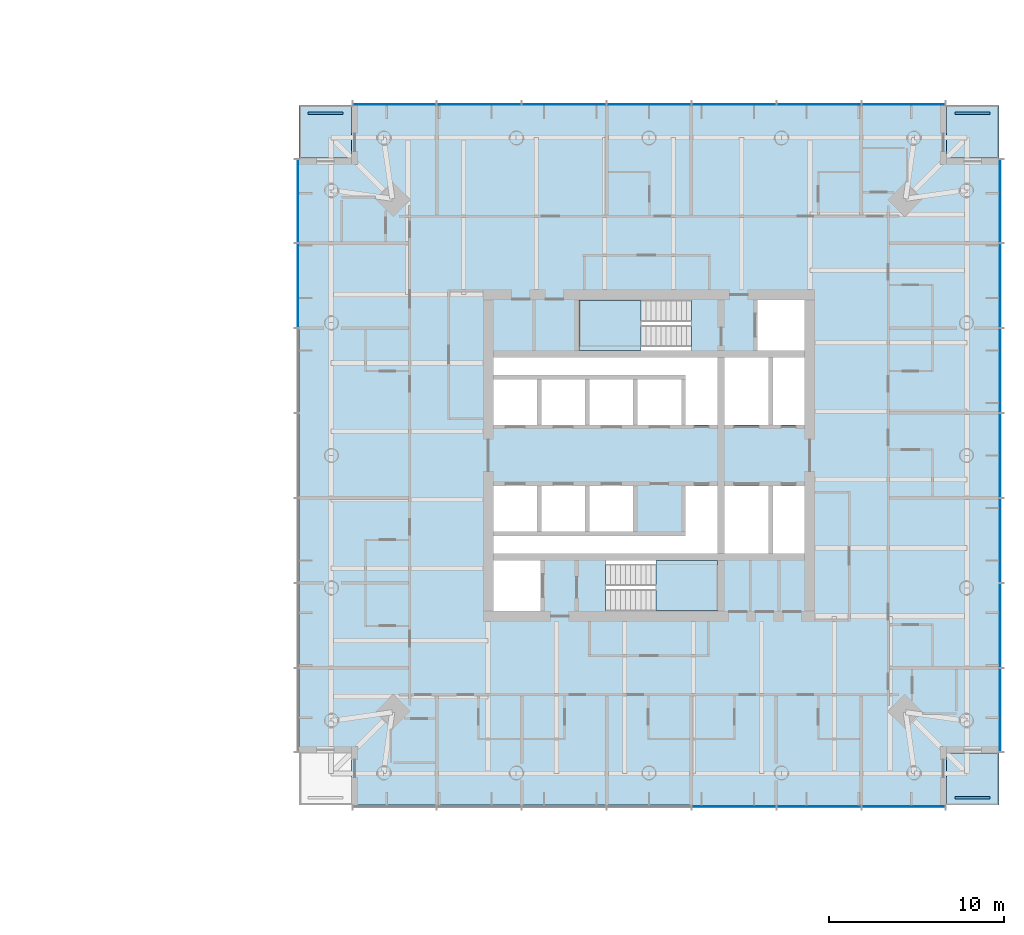
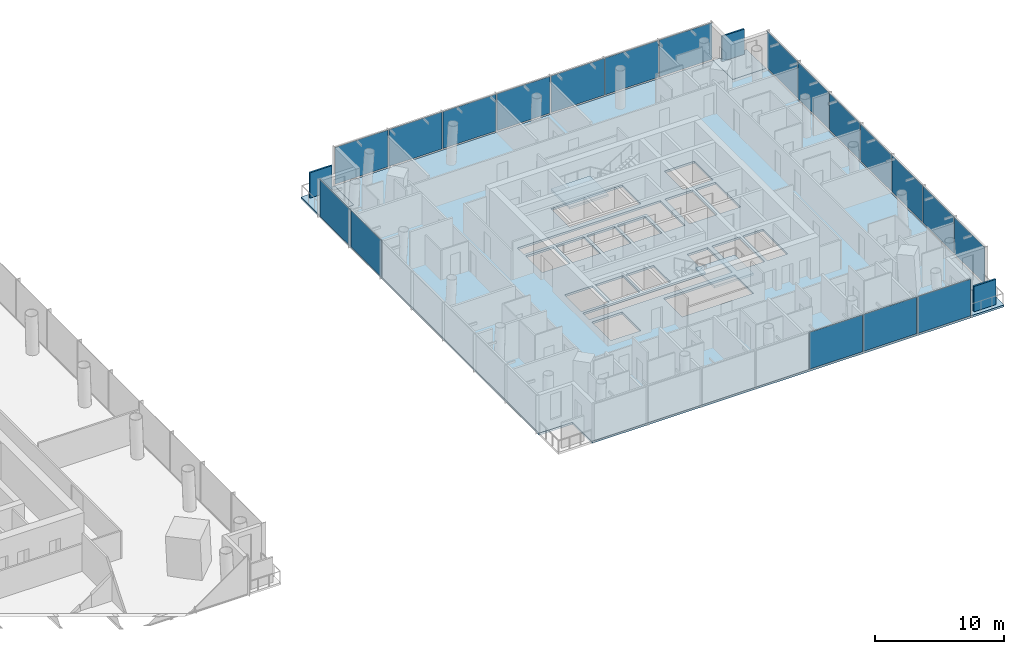
# One storey, part 9 of 22: 22 plates, 6 slabs, 6 elements without a shape of their own.
"""IFC4 building model written with IfcOpenShell, lengths in metres."""

from ifc_helpers import new_model, si_unit, direction, frame, origin, origin_2d, place, context, subcontext, project, spatial, polyline, rectangle, outline, extrude, material, layer, layer_set, type_object, element, aggregate, save


model = new_model("IFC4")

# Units and contexts
model_context = context("Model", 3, precision=1e-05, world=origin(), true_north=direction((0.0, 1.0)))
body_context = subcontext(model_context, "Body", "Model", "MODEL_VIEW")
ifc_project = project(units=[si_unit("LENGTHUNIT", "METRE"), si_unit("AREAUNIT", "SQUARE_METRE"), si_unit("VOLUMEUNIT", "CUBIC_METRE"), si_unit("PLANEANGLEUNIT", "RADIAN"), si_unit("MASSUNIT", "GRAM", prefix="KILO")], contexts=[model_context])

# Site, building, storey
site_placement = place(None, origin())
site = spatial("IfcSite", under=ifc_project, at=site_placement, CompositionType="ELEMENT")
building_placement = place(site_placement, origin())
building = spatial("IfcBuilding", under=site, at=building_placement, Name="Ostroluk Exchange", CompositionType="ELEMENT")
storey_placement = place(building_placement, frame((0.0, 0.0, 40.0)))
storey = spatial("IfcBuildingStorey", under=building, at=storey_placement, Name="L09", CompositionType="ELEMENT", Elevation=40.0)

# Curtain wall, plates
ifc_material_1 = material(Name="Laminated clear glass", Category="glass")
curtain_wall_type = type_object("IfcCurtainWallType", Name="Hotel guest floor facade", PredefinedType="USERDEFINED", material=ifc_material_1)
curtain_wall_1_placement = place(storey_placement, origin())
curtain_wall_1 = element("IfcCurtainWall", 1, at=curtain_wall_1_placement, inside=storey, type_object=curtain_wall_type, Name="Hotel tower south facade L09", ObjectType="UNITISED CURTAIN WALL", PredefinedType="USERDEFINED")
ifc_material_2 = material(Name="Laminated clear glass", Category="glass")
ifc_layer_1 = layer(ifc_material_2, 0.0400390625)
ifc_layer_set_1 = layer_set([ifc_layer_1], Name="Acoustic laminated glazing 40")
plate_type_1 = type_object("IfcPlateType", Name="Acoustic laminated glazing 40", PredefinedType="CURTAIN_PANEL", material=ifc_layer_set_1)
plate_1_placement = place(storey_placement, frame((121.857177734375, 25.925048828125, 0.080078125), z_axis=(0.0, 0.0, 1.0), x_axis=(1.0, 0.0, 0.0)))
plate_1 = element("IfcPlate", 2, at=plate_1_placement, type_object=plate_type_1, Name="CW-H1 panel 5.1", PredefinedType="CURTAIN_PANEL", context=body_context, shape_type="SweptSolid", body=[
    extrude(rectangle(XDim=4.777099609375, YDim=0.0400390625, at=origin_2d()), origin(), (0.0, 0.0, 1.0), 3.489990234375),
])
plate_2_placement = place(storey_placement, frame((126.71435546875, 25.925048828125, 0.080078125), z_axis=(0.0, 0.0, 1.0), x_axis=(1.0, 0.0, 0.0)))
plate_2 = element("IfcPlate", 3, at=plate_2_placement, type_object=plate_type_1, Name="CW-H1 panel 6.1", PredefinedType="CURTAIN_PANEL", context=body_context, shape_type="SweptSolid", body=[
    extrude(rectangle(XDim=4.777099609375, YDim=0.0400390625, at=origin_2d()), origin(), (0.0, 0.0, 1.0), 3.489990234375),
])
plate_3_placement = place(storey_placement, frame((131.551513671875, 25.925048828125, 0.080078125), z_axis=(0.0, 0.0, 1.0), x_axis=(1.0, 0.0, 0.0)))
plate_3 = element("IfcPlate", 4, at=plate_3_placement, type_object=plate_type_1, Name="CW-H1 panel 7.1", PredefinedType="CURTAIN_PANEL", context=body_context, shape_type="SweptSolid", body=[
    extrude(rectangle(XDim=4.737060546875, YDim=0.0400390625, at=origin_2d()), origin(), (0.0, 0.0, 1.0), 3.489990234375),
])
aggregate(curtain_wall_1, [plate_1, plate_2, plate_3])

curtain_wall_2_placement = place(storey_placement, origin())
curtain_wall_2 = element("IfcCurtainWall", 5, at=curtain_wall_2_placement, inside=storey, type_object=curtain_wall_type, Name="Hotel tower east facade L09", ObjectType="UNITISED CURTAIN WALL", PredefinedType="USERDEFINED")
plate_4_placement = place(storey_placement, frame((137.074951171875, 31.448486328125, 0.080078125), z_axis=(0.0, 0.0, 1.0), x_axis=(0.0, 1.0, 0.0)))
plate_4 = element("IfcPlate", 6, at=plate_4_placement, type_object=plate_type_1, Name="CW-H1 panel 1.1", PredefinedType="CURTAIN_PANEL", context=body_context, shape_type="SweptSolid", body=[
    extrude(rectangle(XDim=4.737060546875, YDim=0.0400390625, at=origin_2d()), origin(), (0.0, 0.0, 1.0), 3.489990234375),
])
plate_5_placement = place(storey_placement, frame((137.074951171875, 36.28564453125, 0.080078125), z_axis=(0.0, 0.0, 1.0), x_axis=(0.0, 1.0, 0.0)))
plate_5 = element("IfcPlate", 7, at=plate_5_placement, type_object=plate_type_1, Name="CW-H1 panel 2.1", PredefinedType="CURTAIN_PANEL", context=body_context, shape_type="SweptSolid", body=[
    extrude(rectangle(XDim=4.777099609375, YDim=0.0400390625, at=origin_2d()), origin(), (0.0, 0.0, 1.0), 3.489990234375),
])
plate_6_placement = place(storey_placement, frame((137.074951171875, 41.142822265625, 0.080078125), z_axis=(0.0, 0.0, 1.0), x_axis=(0.0, 1.0, 0.0)))
plate_6 = element("IfcPlate", 8, at=plate_6_placement, type_object=plate_type_1, Name="CW-H1 panel 3.1", PredefinedType="CURTAIN_PANEL", context=body_context, shape_type="SweptSolid", body=[
    extrude(rectangle(XDim=4.777099609375, YDim=0.0400390625, at=origin_2d()), origin(), (0.0, 0.0, 1.0), 3.489990234375),
])
plate_7_placement = place(storey_placement, frame((137.074951171875, 46.0, 0.080078125), z_axis=(0.0, 0.0, 1.0), x_axis=(0.0, 1.0, 0.0)))
plate_7 = element("IfcPlate", 9, at=plate_7_placement, type_object=plate_type_1, Name="CW-H1 panel 4.1", PredefinedType="CURTAIN_PANEL", context=body_context, shape_type="SweptSolid", body=[
    extrude(rectangle(XDim=4.777099609375, YDim=0.0400390625, at=origin_2d()), origin(), (0.0, 0.0, 1.0), 3.489990234375),
])
plate_8_placement = place(storey_placement, frame((137.074951171875, 50.857177734375, 0.080078125), z_axis=(0.0, 0.0, 1.0), x_axis=(0.0, 1.0, 0.0)))
plate_8 = element("IfcPlate", 10, at=plate_8_placement, type_object=plate_type_1, Name="CW-H1 panel 5.1", PredefinedType="CURTAIN_PANEL", context=body_context, shape_type="SweptSolid", body=[
    extrude(rectangle(XDim=4.777099609375, YDim=0.0400390625, at=origin_2d()), origin(), (0.0, 0.0, 1.0), 3.489990234375),
])
plate_9_placement = place(storey_placement, frame((137.074951171875, 55.71435546875, 0.080078125), z_axis=(0.0, 0.0, 1.0), x_axis=(0.0, 1.0, 0.0)))
plate_9 = element("IfcPlate", 11, at=plate_9_placement, type_object=plate_type_1, Name="CW-H1 panel 6.1", PredefinedType="CURTAIN_PANEL", context=body_context, shape_type="SweptSolid", body=[
    extrude(rectangle(XDim=4.777099609375, YDim=0.0400390625, at=origin_2d()), origin(), (0.0, 0.0, 1.0), 3.489990234375),
])
plate_10_placement = place(storey_placement, frame((137.074951171875, 60.551513671875, 0.080078125), z_axis=(0.0, 0.0, 1.0), x_axis=(0.0, 1.0, 0.0)))
plate_10 = element("IfcPlate", 12, at=plate_10_placement, type_object=plate_type_1, Name="CW-H1 panel 7.1", PredefinedType="CURTAIN_PANEL", context=body_context, shape_type="SweptSolid", body=[
    extrude(rectangle(XDim=4.737060546875, YDim=0.0400390625, at=origin_2d()), origin(), (0.0, 0.0, 1.0), 3.489990234375),
])
aggregate(curtain_wall_2, [plate_4, plate_5, plate_6, plate_7, plate_8, plate_9, plate_10])

curtain_wall_3_placement = place(storey_placement, origin())
curtain_wall_3 = element("IfcCurtainWall", 13, at=curtain_wall_3_placement, inside=storey, type_object=curtain_wall_type, Name="Hotel tower north facade L09", ObjectType="UNITISED CURTAIN WALL", PredefinedType="USERDEFINED")
plate_11_placement = place(storey_placement, frame((131.551513671875, 66.074951171875, 0.080078125), z_axis=(0.0, 0.0, 1.0), x_axis=(-1.0, 0.0, 0.0)))
plate_11 = element("IfcPlate", 14, at=plate_11_placement, type_object=plate_type_1, Name="CW-H1 panel 1.1", PredefinedType="CURTAIN_PANEL", context=body_context, shape_type="SweptSolid", body=[
    extrude(rectangle(XDim=4.737060546875, YDim=0.0400390625, at=origin_2d()), origin(), (0.0, 0.0, 1.0), 3.489990234375),
])
plate_12_placement = place(storey_placement, frame((126.71435546875, 66.074951171875, 0.080078125), z_axis=(0.0, 0.0, 1.0), x_axis=(-1.0, 0.0, 0.0)))
plate_12 = element("IfcPlate", 15, at=plate_12_placement, type_object=plate_type_1, Name="CW-H1 panel 2.1", PredefinedType="CURTAIN_PANEL", context=body_context, shape_type="SweptSolid", body=[
    extrude(rectangle(XDim=4.777099609375, YDim=0.0400390625, at=origin_2d()), origin(), (0.0, 0.0, 1.0), 3.489990234375),
])
plate_13_placement = place(storey_placement, frame((121.857177734375, 66.074951171875, 0.080078125), z_axis=(0.0, 0.0, 1.0), x_axis=(-1.0, 0.0, 0.0)))
plate_13 = element("IfcPlate", 16, at=plate_13_placement, type_object=plate_type_1, Name="CW-H1 panel 3.1", PredefinedType="CURTAIN_PANEL", context=body_context, shape_type="SweptSolid", body=[
    extrude(rectangle(XDim=4.777099609375, YDim=0.0400390625, at=origin_2d()), origin(), (0.0, 0.0, 1.0), 3.489990234375),
])
plate_14_placement = place(storey_placement, frame((117.0, 66.074951171875, 0.080078125), z_axis=(0.0, 0.0, 1.0), x_axis=(-1.0, 0.0, 0.0)))
plate_14 = element("IfcPlate", 17, at=plate_14_placement, type_object=plate_type_1, Name="CW-H1 panel 4.1", PredefinedType="CURTAIN_PANEL", context=body_context, shape_type="SweptSolid", body=[
    extrude(rectangle(XDim=4.777099609375, YDim=0.0400390625, at=origin_2d()), origin(), (0.0, 0.0, 1.0), 3.489990234375),
])
plate_15_placement = place(storey_placement, frame((112.142822265625, 66.074951171875, 0.080078125), z_axis=(0.0, 0.0, 1.0), x_axis=(-1.0, 0.0, 0.0)))
plate_15 = element("IfcPlate", 18, at=plate_15_placement, type_object=plate_type_1, Name="CW-H1 panel 5.1", PredefinedType="CURTAIN_PANEL", context=body_context, shape_type="SweptSolid", body=[
    extrude(rectangle(XDim=4.777099609375, YDim=0.0400390625, at=origin_2d()), origin(), (0.0, 0.0, 1.0), 3.489990234375),
])
plate_16_placement = place(storey_placement, frame((107.28564453125, 66.074951171875, 0.080078125), z_axis=(0.0, 0.0, 1.0), x_axis=(-1.0, 0.0, 0.0)))
plate_16 = element("IfcPlate", 19, at=plate_16_placement, type_object=plate_type_1, Name="CW-H1 panel 6.1", PredefinedType="CURTAIN_PANEL", context=body_context, shape_type="SweptSolid", body=[
    extrude(rectangle(XDim=4.777099609375, YDim=0.0400390625, at=origin_2d()), origin(), (0.0, 0.0, 1.0), 3.489990234375),
])
plate_17_placement = place(storey_placement, frame((102.448486328125, 66.074951171875, 0.080078125), z_axis=(0.0, 0.0, 1.0), x_axis=(-1.0, 0.0, 0.0)))
plate_17 = element("IfcPlate", 20, at=plate_17_placement, type_object=plate_type_1, Name="CW-H1 panel 7.1", PredefinedType="CURTAIN_PANEL", context=body_context, shape_type="SweptSolid", body=[
    extrude(rectangle(XDim=4.737060546875, YDim=0.0400390625, at=origin_2d()), origin(), (0.0, 0.0, 1.0), 3.489990234375),
])
aggregate(curtain_wall_3, [plate_11, plate_12, plate_13, plate_14, plate_15, plate_16, plate_17])

curtain_wall_4_placement = place(storey_placement, origin())
curtain_wall_4 = element("IfcCurtainWall", 21, at=curtain_wall_4_placement, inside=storey, type_object=curtain_wall_type, Name="Hotel tower west facade L09", ObjectType="UNITISED CURTAIN WALL", PredefinedType="USERDEFINED")
plate_18_placement = place(storey_placement, frame((96.925048828125, 60.551513671875, 0.080078125), z_axis=(0.0, 0.0, 1.0), x_axis=(0.0, -1.0, 0.0)))
plate_18 = element("IfcPlate", 22, at=plate_18_placement, type_object=plate_type_1, Name="CW-H1 panel 1.1", PredefinedType="CURTAIN_PANEL", context=body_context, shape_type="SweptSolid", body=[
    extrude(rectangle(XDim=4.737060546875, YDim=0.0400390625, at=origin_2d()), origin(), (0.0, 0.0, 1.0), 3.489990234375),
])
plate_19_placement = place(storey_placement, frame((96.925048828125, 55.71435546875, 0.080078125), z_axis=(0.0, 0.0, 1.0), x_axis=(0.0, -1.0, 0.0)))
plate_19 = element("IfcPlate", 23, at=plate_19_placement, type_object=plate_type_1, Name="CW-H1 panel 2.1", PredefinedType="CURTAIN_PANEL", context=body_context, shape_type="SweptSolid", body=[
    extrude(rectangle(XDim=4.777099609375, YDim=0.0400390625, at=origin_2d()), origin(), (0.0, 0.0, 1.0), 3.489990234375),
])
aggregate(curtain_wall_4, [plate_18, plate_19])

# Slabs
ifc_material_3 = material(Name="Concrete C35/45", Category="concrete")
ifc_layer_2 = layer(ifc_material_3, 0.199951171875)
ifc_layer_set_2 = layer_set([ifc_layer_2], Name="Balcony slab 200")
slab_type_1 = type_object("IfcSlabType", Name="Balcony slab 200", PredefinedType="USERDEFINED", material=ifc_layer_set_2)
slab_1_placement = place(storey_placement, frame((0.0, 0.0, -0.199951171875)))
element("IfcSlab", 24, at=slab_1_placement, inside=storey, type_object=slab_type_1, Name="Hotel tower SE corner balcony L09", ObjectType="BALCONY", PredefinedType="USERDEFINED", context=body_context, shape_type="SweptSolid", body=[
    extrude(outline(polyline([(134.0, 26.0), (137.0, 26.0), (137.0, 29.0), (134.0, 29.0), (134.0, 26.0)])), origin(), (0.0, 0.0, 1.0), 0.199951171875),
])
slab_2_placement = place(storey_placement, frame((0.0, 0.0, -0.199951171875)))
element("IfcSlab", 25, at=slab_2_placement, inside=storey, type_object=slab_type_1, Name="Hotel tower NE corner balcony L09", ObjectType="BALCONY", PredefinedType="USERDEFINED", context=body_context, shape_type="SweptSolid", body=[
    extrude(outline(polyline([(134.0, 63.0), (137.0, 63.0), (137.0, 66.0), (134.0, 66.0), (134.0, 63.0)])), origin(), (0.0, 0.0, 1.0), 0.199951171875),
])
slab_3_placement = place(storey_placement, frame((0.0, 0.0, -0.199951171875)))
element("IfcSlab", 26, at=slab_3_placement, inside=storey, type_object=slab_type_1, Name="Hotel tower NW corner balcony L09", ObjectType="BALCONY", PredefinedType="USERDEFINED", context=body_context, shape_type="SweptSolid", body=[
    extrude(outline(polyline([(97.0, 63.0), (100.0, 63.0), (100.0, 66.0), (97.0, 66.0), (97.0, 63.0)])), origin(), (0.0, 0.0, 1.0), 0.199951171875),
])

# Plates
ifc_material_4 = material(Name="Steel S355 trellis with planting", Category="steel")
ifc_layer_3 = layer(ifc_material_4, 0.14990234375)
ifc_layer_set_3 = layer_set([ifc_layer_3], Name="Planted screen 150")
plate_type_2 = type_object("IfcPlateType", Name="Planted screen 150", PredefinedType="USERDEFINED", material=ifc_layer_set_3)
for number, where, z_axis, x_axis, name in (
    (27, (135.5, 26.425048828125, 0.0), (0.0, 0.0, 1.0), (1.0, 0.0, 0.0), "Hotel tower SE planted screen L09"),
    (28, (135.5, 65.574951171875, 0.0), (0.0, 0.0, 1.0), (1.0, 0.0, 0.0), "Hotel tower NE planted screen L09"),
    (29, (98.5, 65.574951171875, 0.0), (0.0, 0.0, 1.0), (1.0, 0.0, 0.0), "Hotel tower NW planted screen L09"),
):
    element("IfcPlate", number, at=place(storey_placement, frame(where, z_axis=z_axis, x_axis=x_axis)), inside=storey, type_object=plate_type_2, Name=name, ObjectType="PLANTED SCREEN", PredefinedType="USERDEFINED", context=body_context, shape_type="SweptSolid", body=[
        extrude(rectangle(XDim=2.0, YDim=0.14990234375, at=origin_2d()), origin(), (0.0, 0.0, 1.0), 2.39990234375),
    ])

# Stair, slab
ifc_material_5 = material(Name="Concrete C30/37", Category="concrete")
stair_type = type_object("IfcStairType", Name="Exit stair half turn 3800", PredefinedType="HALF_TURN_STAIR", material=ifc_material_5)
stair_1_placement = place(storey_placement, origin())
stair_1 = element("IfcStair", 30, at=stair_1_placement, inside=storey, type_object=stair_type, Name="Stair T2-S1 L09", PredefinedType="HALF_TURN_STAIR")
ifc_material_6 = material(Name="Concrete C30/37", Category="concrete")
ifc_layer_4 = layer(ifc_material_6, 0.199951171875)
ifc_layer_set_4 = layer_set([ifc_layer_4], Name="Stair landing 200")
slab_type_2 = type_object("IfcSlabType", Name="Stair landing 200", PredefinedType="LANDING", material=ifc_layer_set_4)
slab_4_placement = place(storey_placement, frame((0.0, 0.0, 1.699951171875)))
slab_4 = element("IfcSlab", 31, at=slab_4_placement, type_object=slab_type_2, Name="T2-S1 landing 1", PredefinedType="LANDING", context=body_context, shape_type="SweptSolid", body=[
    extrude(outline(polyline([(117.39990234375, 37.10009765625), (117.39990234375, 40.0), (120.929931640625, 40.0), (120.929931640625, 37.10009765625), (117.39990234375, 37.10009765625)])), origin(), (0.0, 0.0, 1.0), 0.199951171875),
])
aggregate(stair_1, [slab_4])

stair_2_placement = place(storey_placement, origin())
stair_2 = element("IfcStair", 32, at=stair_2_placement, inside=storey, type_object=stair_type, Name="Stair T2-S2 L09", PredefinedType="HALF_TURN_STAIR")
slab_5_placement = place(storey_placement, frame((0.0, 0.0, 1.699951171875)))
slab_5 = element("IfcSlab", 33, at=slab_5_placement, type_object=slab_type_2, Name="T2-S2 landing 1", PredefinedType="LANDING", context=body_context, shape_type="SweptSolid", body=[
    extrude(outline(polyline([(116.530029296875, 52.0), (116.530029296875, 54.89990234375), (113.0, 54.89990234375), (113.0, 52.0), (116.530029296875, 52.0)])), origin(), (0.0, 0.0, 1.0), 0.199951171875),
])
aggregate(stair_2, [slab_5])

# Slab
ifc_material_7 = material(Name="Concrete C35/45", Category="concrete")
ifc_layer_5 = layer(ifc_material_7, 0.199951171875)
ifc_layer_set_5 = layer_set([ifc_layer_5], Name="Tower floor slab 200 composite")
slab_type_3 = type_object("IfcSlabType", Name="Tower floor slab 200 composite", PredefinedType="FLOOR", material=ifc_layer_set_5)
slab_6_placement = place(storey_placement, frame((0.0, 0.0, -0.199951171875)))
element("IfcSlab", 34, at=slab_6_placement, inside=storey, type_object=slab_type_3, Name="Hotel tower floor slab L09", PredefinedType="FLOOR", context=body_context, shape_type="SweptSolid", body=[
    extrude(outline(polyline([(100.0, 26.0), (134.0, 26.0), (134.0, 29.0), (137.0, 29.0), (137.0, 63.0), (134.0, 63.0), (134.0, 66.0), (100.0, 66.0), (100.0, 63.0), (97.0, 63.0), (97.0, 29.0), (100.0, 29.0), (100.0, 26.0)]), holes=[polyline([(108.10009765625, 37.10009765625), (110.800048828125, 37.10009765625), (110.800048828125, 40.0), (108.10009765625, 40.0), (108.10009765625, 37.10009765625)]), polyline([(114.510009765625, 37.10009765625), (120.929931640625, 37.10009765625), (120.929931640625, 40.0), (114.510009765625, 40.0), (114.510009765625, 37.10009765625)]), polyline([(113.0, 52.0), (119.419921875, 52.0), (119.419921875, 54.89990234375), (113.0, 54.89990234375), (113.0, 52.0)]), polyline([(123.199951171875, 52.0), (125.89990234375, 52.0), (125.89990234375, 54.89990234375), (123.199951171875, 54.89990234375), (123.199951171875, 52.0)]), polyline([(108.10009765625, 47.75), (110.60009765625, 47.75), (110.60009765625, 50.35009765625), (108.10009765625, 50.35009765625), (108.10009765625, 47.75)]), polyline([(110.85009765625, 47.75), (113.35009765625, 47.75), (113.35009765625, 50.35009765625), (110.85009765625, 50.35009765625), (110.85009765625, 47.75)]), polyline([(113.60009765625, 47.75), (116.10009765625, 47.75), (116.10009765625, 50.35009765625), (113.60009765625, 50.35009765625), (113.60009765625, 47.75)]), polyline([(116.35009765625, 47.75), (118.85009765625, 47.75), (118.85009765625, 50.35009765625), (116.35009765625, 50.35009765625), (116.35009765625, 47.75)]), polyline([(108.10009765625, 41.64990234375), (110.60009765625, 41.64990234375), (110.60009765625, 44.25), (108.10009765625, 44.25), (108.10009765625, 41.64990234375)]), polyline([(110.85009765625, 41.64990234375), (113.35009765625, 41.64990234375), (113.35009765625, 44.25), (110.85009765625, 44.25), (110.85009765625, 41.64990234375)]), polyline([(113.60009765625, 41.64990234375), (116.10009765625, 41.64990234375), (116.10009765625, 44.25), (113.60009765625, 44.25), (113.60009765625, 41.64990234375)]), polyline([(121.330078125, 47.75), (123.830078125, 47.75), (123.830078125, 51.60009765625), (121.330078125, 51.60009765625), (121.330078125, 47.75)]), polyline([(121.330078125, 40.39990234375), (123.830078125, 40.39990234375), (123.830078125, 44.25), (121.330078125, 44.25), (121.330078125, 40.39990234375)]), polyline([(120.929931640625, 51.60009765625), (120.929931640625, 47.75), (119.10009765625, 47.75), (119.10009765625, 50.60009765625), (108.10009765625, 50.60009765625), (108.10009765625, 51.60009765625), (120.929931640625, 51.60009765625)]), polyline([(108.10009765625, 40.39990234375), (108.10009765625, 41.39990234375), (119.10009765625, 41.39990234375), (119.10009765625, 44.25), (120.929931640625, 44.25), (120.929931640625, 40.39990234375), (108.10009765625, 40.39990234375)]), polyline([(124.080078125, 47.75), (125.89990234375, 47.75), (125.89990234375, 51.60009765625), (124.080078125, 51.60009765625), (124.080078125, 47.75)]), polyline([(124.080078125, 40.39990234375), (125.89990234375, 40.39990234375), (125.89990234375, 44.25), (124.080078125, 44.25), (124.080078125, 40.39990234375)])]), origin(), (0.0, 0.0, 1.0), 0.199951171875),
])

save(model, "model.ifc")
